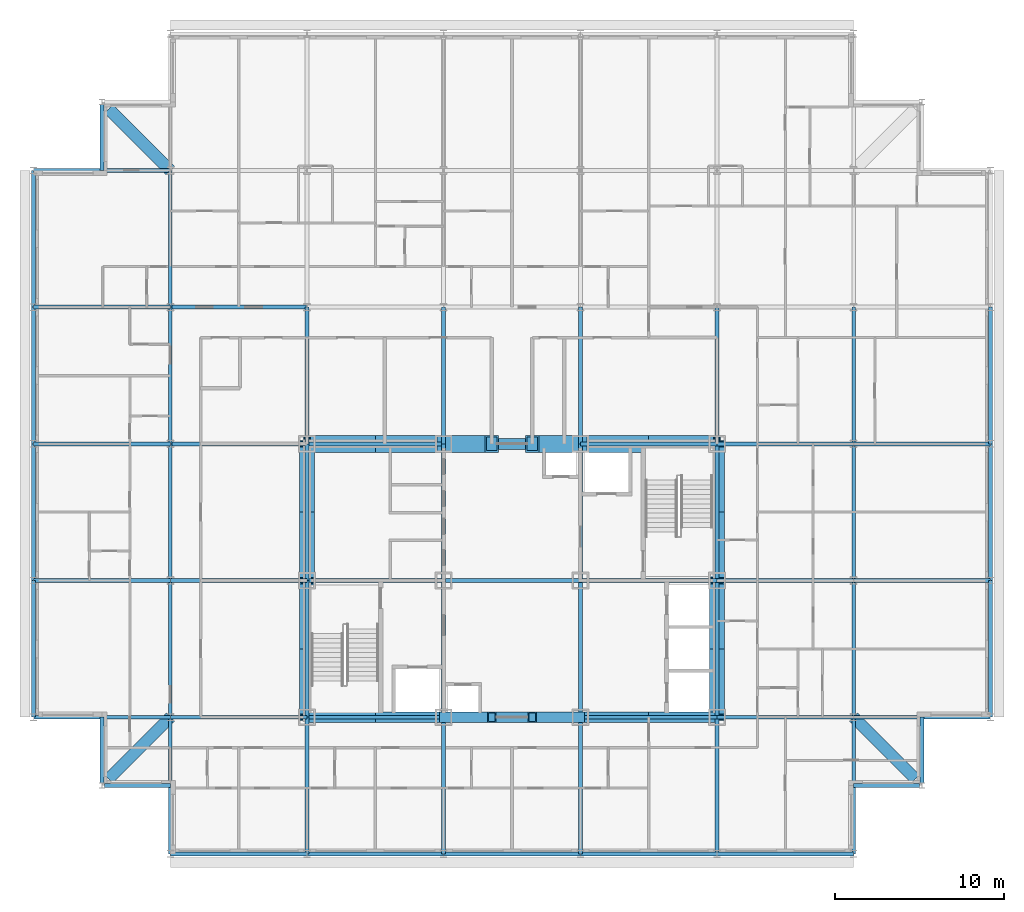
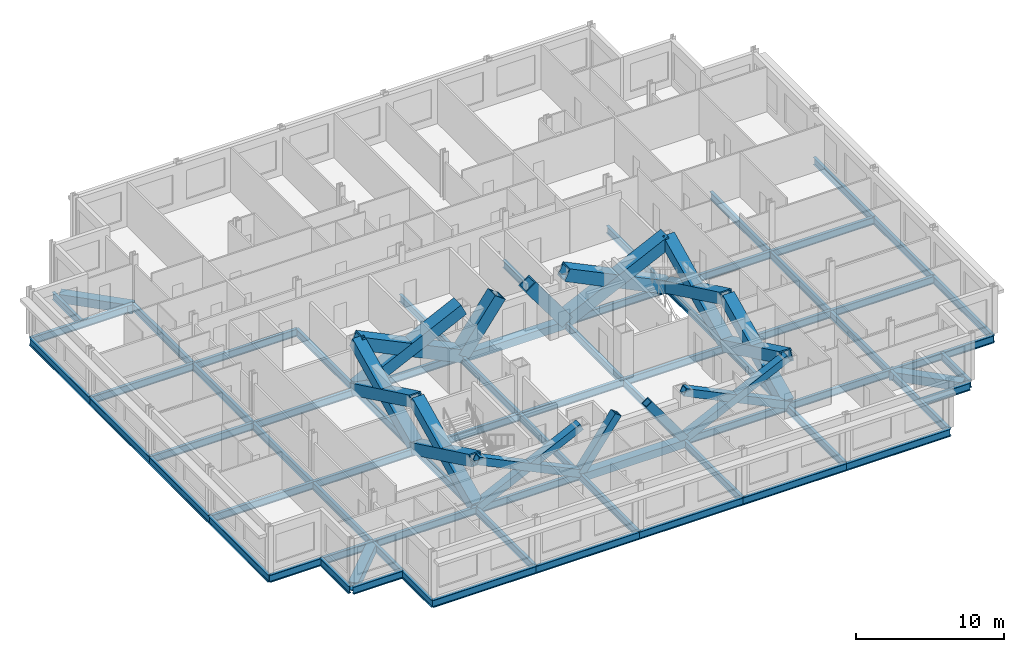
# One storey, part 5 of 16: 69 beams, 20 members.
"""IFC4 building model written with IfcOpenShell, lengths in metres."""

from ifc_helpers import new_model, si_unit, direction, frame, origin, origin_2d, place, context, subcontext, project, spatial, hollow_rectangle, i_section, extrude, material, material_profile, profile_set, type_object, element, save


model = new_model("IFC4")

# Units and contexts
model_context = context("Model", 3, precision=1e-05, world=origin(), true_north=direction((0.0, 1.0)))
body_context = subcontext(model_context, "Body", "Model", "MODEL_VIEW")
ifc_project = project(units=[si_unit("LENGTHUNIT", "METRE"), si_unit("AREAUNIT", "SQUARE_METRE"), si_unit("VOLUMEUNIT", "CUBIC_METRE"), si_unit("PLANEANGLEUNIT", "RADIAN"), si_unit("MASSUNIT", "GRAM", prefix="KILO")], contexts=[model_context])

# Site, building, storey
site_placement = place(None, origin())
site = spatial("IfcSite", under=ifc_project, at=site_placement, CompositionType="ELEMENT")
building_placement = place(site_placement, origin())
building = spatial("IfcBuilding", under=site, at=building_placement, Name="Kopane Lantern Tower", CompositionType="ELEMENT")
storey_placement = place(building_placement, frame((0.0, 0.0, 265.800048828125)))
storey = spatial("IfcBuildingStorey", under=building, at=storey_placement, Name="L68", CompositionType="ELEMENT", Elevation=265.800048828125)

# Members
ifc_material_1 = material(Name="Steel S355JR", Category="steel")
ifc_material_profile_1 = material_profile(ifc_material_1, hollow_rectangle(XDim=1.0, YDim=1.0, WallThickness=0.10009765625, at=origin_2d()), Name="BOX 1000x1000x100")
ifc_profile_set_1 = profile_set([ifc_material_profile_1], Name="Steel S355JR")
member_type_1 = type_object("IfcMemberType", Name="BRACE BOX 1000x1000x100", PredefinedType="BRACE", material=ifc_profile_set_1)
for number, where, z_axis, x_axis, name in (
    (1, (16.199951171875, 40.5, -0.2099609375), (0.901007959878, 0.0, 0.433802554437), (0.0, 1.0, 0.0), "Core brace L68"),
    (2, (24.300048828125, 40.5, -0.2099609375), (-0.901007959878, 0.0, 0.433802554437), (0.0, -1.0, 0.0), "Core brace L68"),
):
    element("IfcMember", number, at=place(storey_placement, frame(where, z_axis=z_axis, x_axis=x_axis)), inside=storey, type_object=member_type_1, Name=name, PredefinedType="BRACE", context=body_context, shape_type="SweptSolid", body=[
        extrude(hollow_rectangle(XDim=1.0, YDim=1.0, WallThickness=0.10009765625, at=origin_2d()), origin(), (0.0, 0.0, 1.0), 8.989990234375),
    ])
for number, where, z_axis, x_axis, name in (
    (3, (24.300048828125, 40.5, -0.2099609375), (0.590006451143, 0.0, 0.807398530845), (0.0, 1.0, 0.0), "Core brace L68"),
    (4, (32.39990234375, 40.5, -0.2099609375), (-0.590006451143, 0.0, 0.807398530845), (0.0, -1.0, 0.0), "Core brace L68"),
):
    element("IfcMember", number, at=place(storey_placement, frame(where, z_axis=z_axis, x_axis=x_axis)), inside=storey, type_object=member_type_1, Name=name, PredefinedType="BRACE", context=body_context, shape_type="SweptSolid", body=[
        extrude(hollow_rectangle(XDim=1.0, YDim=1.0, WallThickness=0.10009765625, at=origin_2d()), origin(), (0.0, 0.0, 1.0), 4.830322265625),
    ])
for number, where, z_axis, x_axis, name in (
    (5, (32.39990234375, 40.5, -0.2099609375), (0.901007959878, 0.0, 0.433802554437), (0.0, 1.0, 0.0), "Core brace L68"),
    (6, (40.5, 40.5, -0.2099609375), (-0.901007959878, 0.0, 0.433802554437), (0.0, -1.0, 0.0), "Core brace L68"),
):
    element("IfcMember", number, at=place(storey_placement, frame(where, z_axis=z_axis, x_axis=x_axis)), inside=storey, type_object=member_type_1, Name=name, PredefinedType="BRACE", context=body_context, shape_type="SweptSolid", body=[
        extrude(hollow_rectangle(XDim=1.0, YDim=1.0, WallThickness=0.10009765625, at=origin_2d()), origin(), (0.0, 0.0, 1.0), 8.989990234375),
    ])
ifc_material_2 = material(Name="Steel S355JR", Category="steel")
ifc_material_profile_2 = material_profile(ifc_material_2, hollow_rectangle(XDim=0.60009765625, YDim=0.60009765625, WallThickness=0.06005859375, at=origin_2d()), Name="BOX 600x600x60")
ifc_profile_set_2 = profile_set([ifc_material_profile_2], Name="Steel S355JR")
member_type_2 = type_object("IfcMemberType", Name="BRACE BOX 600x600x60", PredefinedType="BRACE", material=ifc_profile_set_2)
for number, where, z_axis, x_axis, name in (
    (7, (16.199951171875, 24.300048828125, -0.2099609375), (0.901007959878, 0.0, 0.433802554437), (0.0, 1.0, 0.0), "Core brace L68"),
    (8, (24.300048828125, 24.300048828125, -0.2099609375), (-0.901007959878, 0.0, 0.433802554437), (0.0, -1.0, 0.0), "Core brace L68"),
):
    element("IfcMember", number, at=place(storey_placement, frame(where, z_axis=z_axis, x_axis=x_axis)), inside=storey, type_object=member_type_2, Name=name, PredefinedType="BRACE", context=body_context, shape_type="SweptSolid", body=[
        extrude(hollow_rectangle(XDim=0.60009765625, YDim=0.60009765625, WallThickness=0.06005859375, at=origin_2d()), origin(), (0.0, 0.0, 1.0), 8.989990234375),
    ])
for number, where, z_axis, x_axis, name in (
    (9, (24.300048828125, 24.300048828125, -0.2099609375), (0.590006451143, 0.0, 0.807398530845), (0.0, 1.0, 0.0), "Core brace L68"),
    (10, (32.39990234375, 24.300048828125, -0.2099609375), (-0.590006451143, 0.0, 0.807398530845), (0.0, -1.0, 0.0), "Core brace L68"),
):
    element("IfcMember", number, at=place(storey_placement, frame(where, z_axis=z_axis, x_axis=x_axis)), inside=storey, type_object=member_type_2, Name=name, PredefinedType="BRACE", context=body_context, shape_type="SweptSolid", body=[
        extrude(hollow_rectangle(XDim=0.60009765625, YDim=0.60009765625, WallThickness=0.06005859375, at=origin_2d()), origin(), (0.0, 0.0, 1.0), 4.830322265625),
    ])
for number, where, z_axis, x_axis, name in (
    (11, (32.39990234375, 24.300048828125, -0.2099609375), (0.901007959878, 0.0, 0.433802554437), (0.0, 1.0, 0.0), "Core brace L68"),
    (12, (40.5, 24.300048828125, -0.2099609375), (-0.901007959878, 0.0, 0.433802554437), (0.0, -1.0, 0.0), "Core brace L68"),
):
    element("IfcMember", number, at=place(storey_placement, frame(where, z_axis=z_axis, x_axis=x_axis)), inside=storey, type_object=member_type_2, Name=name, PredefinedType="BRACE", context=body_context, shape_type="SweptSolid", body=[
        extrude(hollow_rectangle(XDim=0.60009765625, YDim=0.60009765625, WallThickness=0.06005859375, at=origin_2d()), origin(), (0.0, 0.0, 1.0), 8.989990234375),
    ])
ifc_material_3 = material(Name="Steel S355JR", Category="steel")
ifc_material_profile_3 = material_profile(ifc_material_3, hollow_rectangle(XDim=0.89990234375, YDim=0.89990234375, WallThickness=0.090087890625, at=origin_2d()), Name="BOX 900x900x90")
ifc_profile_set_3 = profile_set([ifc_material_profile_3], Name="Steel S355JR")
member_type_3 = type_object("IfcMemberType", Name="BRACE BOX 900x900x90", PredefinedType="BRACE", material=ifc_profile_set_3)
for number, where, z_axis, x_axis, name in (
    (13, (16.199951171875, 24.300048828125, -0.2099609375), (0.0, 0.9010028492, 0.433813169157), (-1.0, 0.0, 0.0), "Core brace L68"),
    (14, (16.199951171875, 32.39990234375, -0.2099609375), (0.0, -0.9010028492, 0.433813169157), (1.0, 0.0, 0.0), "Core brace L68"),
):
    element("IfcMember", number, at=place(storey_placement, frame(where, z_axis=z_axis, x_axis=x_axis)), inside=storey, type_object=member_type_3, Name=name, PredefinedType="BRACE", context=body_context, shape_type="SweptSolid", body=[
        extrude(hollow_rectangle(XDim=0.89990234375, YDim=0.89990234375, WallThickness=0.090087890625, at=origin_2d()), origin(), (0.0, 0.0, 1.0), 8.98974609375),
    ])
for number, where, z_axis, x_axis, name in (
    (15, (16.199951171875, 32.39990234375, -0.2099609375), (0.0, 0.901007959878, 0.433802554437), (-1.0, 0.0, 0.0), "Core brace L68"),
    (16, (16.199951171875, 40.5, -0.2099609375), (0.0, -0.901007959878, 0.433802554437), (1.0, 0.0, 0.0), "Core brace L68"),
):
    element("IfcMember", number, at=place(storey_placement, frame(where, z_axis=z_axis, x_axis=x_axis)), inside=storey, type_object=member_type_3, Name=name, PredefinedType="BRACE", context=body_context, shape_type="SweptSolid", body=[
        extrude(hollow_rectangle(XDim=0.89990234375, YDim=0.89990234375, WallThickness=0.090087890625, at=origin_2d()), origin(), (0.0, 0.0, 1.0), 8.989990234375),
    ])
for number, where, z_axis, x_axis, name in (
    (17, (40.5, 24.300048828125, -0.2099609375), (0.0, 0.9010028492, 0.433813169157), (-1.0, 0.0, 0.0), "Core brace L68"),
    (18, (40.5, 32.39990234375, -0.2099609375), (0.0, -0.9010028492, 0.433813169157), (1.0, 0.0, 0.0), "Core brace L68"),
):
    element("IfcMember", number, at=place(storey_placement, frame(where, z_axis=z_axis, x_axis=x_axis)), inside=storey, type_object=member_type_3, Name=name, PredefinedType="BRACE", context=body_context, shape_type="SweptSolid", body=[
        extrude(hollow_rectangle(XDim=0.89990234375, YDim=0.89990234375, WallThickness=0.090087890625, at=origin_2d()), origin(), (0.0, 0.0, 1.0), 8.98974609375),
    ])
for number, where, z_axis, x_axis, name in (
    (19, (40.5, 32.39990234375, -0.2099609375), (0.0, 0.901007959878, 0.433802554437), (-1.0, 0.0, 0.0), "Core brace L68"),
    (20, (40.5, 40.5, -0.2099609375), (0.0, -0.901007959878, 0.433802554437), (1.0, 0.0, 0.0), "Core brace L68"),
):
    element("IfcMember", number, at=place(storey_placement, frame(where, z_axis=z_axis, x_axis=x_axis)), inside=storey, type_object=member_type_3, Name=name, PredefinedType="BRACE", context=body_context, shape_type="SweptSolid", body=[
        extrude(hollow_rectangle(XDim=0.89990234375, YDim=0.89990234375, WallThickness=0.090087890625, at=origin_2d()), origin(), (0.0, 0.0, 1.0), 8.989990234375),
    ])

# Beams
ifc_material_4 = material(Name="Steel S355JR", Category="steel")
ifc_material_profile_4 = material_profile(ifc_material_4, i_section(OverallWidth=0.22900390625, OverallDepth=0.6123046875, WebThickness=0.011962890625, FlangeThickness=0.01953125, FilletRadius=0.0126953125, at=origin_2d()), Name="UB 610x229x125")
ifc_profile_set_4 = profile_set([ifc_material_profile_4], Name="Steel S355JR")
beam_type_1 = type_object("IfcBeamType", Name="CORE BEAM UB 610x229x125", PredefinedType="BEAM", material=ifc_profile_set_4)
beam_1_placement = place(storey_placement, frame((16.199951171875, 32.39990234375, -0.51611328125), z_axis=(1.0, 0.0, 0.0), x_axis=(0.0, 1.0, 0.0)))
element("IfcBeam", 21, at=beam_1_placement, inside=storey, type_object=beam_type_1, Name="Core Beam L68", PredefinedType="BEAM", context=body_context, shape_type="SweptSolid", body=[
    extrude(i_section(OverallWidth=0.22900390625, OverallDepth=0.6123046875, WebThickness=0.011962890625, FlangeThickness=0.01953125, FilletRadius=0.0126953125, at=origin_2d()), origin(), (0.0, 0.0, 1.0), 8.10009765625),
])
beam_2_placement = place(storey_placement, frame((24.300048828125, 24.300048828125, -0.51611328125), z_axis=(0.0, 1.0, 0.0), x_axis=(-1.0, 0.0, 0.0)))
element("IfcBeam", 22, at=beam_2_placement, inside=storey, type_object=beam_type_1, Name="Core Beam L68", PredefinedType="BEAM", context=body_context, shape_type="SweptSolid", body=[
    extrude(i_section(OverallWidth=0.22900390625, OverallDepth=0.6123046875, WebThickness=0.011962890625, FlangeThickness=0.01953125, FilletRadius=0.0126953125, at=origin_2d()), origin(), (0.0, 0.0, 1.0), 8.099853515625),
])
beam_3_placement = place(storey_placement, frame((24.300048828125, 32.39990234375, -0.51611328125), z_axis=(0.0, 1.0, 0.0), x_axis=(-1.0, 0.0, 0.0)))
element("IfcBeam", 23, at=beam_3_placement, inside=storey, type_object=beam_type_1, Name="Core Beam L68", PredefinedType="BEAM", context=body_context, shape_type="SweptSolid", body=[
    extrude(i_section(OverallWidth=0.22900390625, OverallDepth=0.6123046875, WebThickness=0.011962890625, FlangeThickness=0.01953125, FilletRadius=0.0126953125, at=origin_2d()), origin(), (0.0, 0.0, 1.0), 8.10009765625),
])
for number, where, z_axis, x_axis, name in (
    (24, (24.300048828125, 32.39990234375, -0.51611328125), (1.0, 0.0, 0.0), (0.0, 1.0, 0.0), "Core Beam L68"),
    (25, (32.39990234375, 24.300048828125, -0.51611328125), (0.0, 1.0, 0.0), (-1.0, 0.0, 0.0), "Core Beam L68"),
):
    element("IfcBeam", number, at=place(storey_placement, frame(where, z_axis=z_axis, x_axis=x_axis)), inside=storey, type_object=beam_type_1, Name=name, PredefinedType="BEAM", context=body_context, shape_type="SweptSolid", body=[
        extrude(i_section(OverallWidth=0.22900390625, OverallDepth=0.6123046875, WebThickness=0.011962890625, FlangeThickness=0.01953125, FilletRadius=0.0126953125, at=origin_2d()), origin(), (0.0, 0.0, 1.0), 8.099853515625),
    ])
for number, where, z_axis, x_axis, name in (
    (26, (32.39990234375, 32.39990234375, -0.51611328125), (0.0, 1.0, 0.0), (-1.0, 0.0, 0.0), "Core Beam L68"),
    (27, (32.39990234375, 32.39990234375, -0.51611328125), (1.0, 0.0, 0.0), (0.0, 1.0, 0.0), "Core Beam L68"),
):
    element("IfcBeam", number, at=place(storey_placement, frame(where, z_axis=z_axis, x_axis=x_axis)), inside=storey, type_object=beam_type_1, Name=name, PredefinedType="BEAM", context=body_context, shape_type="SweptSolid", body=[
        extrude(i_section(OverallWidth=0.22900390625, OverallDepth=0.6123046875, WebThickness=0.011962890625, FlangeThickness=0.01953125, FilletRadius=0.0126953125, at=origin_2d()), origin(), (0.0, 0.0, 1.0), 8.10009765625),
    ])
ifc_material_5 = material(Name="Steel S355JR", Category="steel")
ifc_material_profile_5 = material_profile(ifc_material_5, hollow_rectangle(XDim=0.699951171875, YDim=0.699951171875, WallThickness=0.06005859375, at=origin_2d()), Name="BOX 700x700x60")
ifc_profile_set_5 = profile_set([ifc_material_profile_5], Name="Steel S355JR")
beam_type_2 = type_object("IfcBeamType", Name="CORNER TIE BEAM BOX 700x700x60", PredefinedType="BEAM", material=ifc_profile_set_5)
for number, where, z_axis, x_axis, name in (
    (28, (4.447509765625, 20.6474609375, -0.56005859375), (0.707106781187, 0.707106781187, 0.0), (-0.707106781187, 0.707106781187, 0.0), "Corner Tie Beam L68"),
    (29, (4.447509765625, 60.3525390625, -0.56005859375), (0.707106781187, -0.707106781187, 0.0), (0.707106781187, 0.707106781187, 0.0), "Corner Tie Beam L68"),
):
    element("IfcBeam", number, at=place(storey_placement, frame(where, z_axis=z_axis, x_axis=x_axis)), inside=storey, type_object=beam_type_2, Name=name, PredefinedType="BEAM", context=body_context, shape_type="SweptSolid", body=[
        extrude(hollow_rectangle(XDim=0.699951171875, YDim=0.699951171875, WallThickness=0.06005859375, at=origin_2d()), origin(), (0.0, 0.0, 1.0), 5.16552734375),
    ])
beam_4_placement = place(storey_placement, frame((52.25244140625, 20.6474609375, -0.56005859375), z_axis=(-0.707083148333, 0.70713041325, 0.0), x_axis=(-0.70713041325, -0.707083148333, 0.0)))
element("IfcBeam", 30, at=beam_4_placement, inside=storey, type_object=beam_type_2, Name="Corner Tie Beam L68", PredefinedType="BEAM", context=body_context, shape_type="SweptSolid", body=[
    extrude(hollow_rectangle(XDim=0.699951171875, YDim=0.699951171875, WallThickness=0.06005859375, at=origin_2d()), origin(), (0.0, 0.0, 1.0), 5.165283203125),
])
ifc_material_6 = material(Name="Steel S355JR", Category="steel")
ifc_material_profile_6 = material_profile(ifc_material_6, i_section(OverallWidth=0.22900390625, OverallDepth=0.6123046875, WebThickness=0.011962890625, FlangeThickness=0.01953125, FilletRadius=0.0126953125, at=origin_2d()), Name="UB 610x229x125")
ifc_profile_set_6 = profile_set([ifc_material_profile_6], Name="Steel S355JR")
beam_type_3 = type_object("IfcBeamType", Name="EDGE BEAM UB 610x229x125", PredefinedType="BEAM", material=ifc_profile_set_6)
beam_5_placement = place(storey_placement, frame((4.050048828125, 20.40380859375, -0.51611328125), z_axis=(0.0, 1.0, 0.0), x_axis=(-1.0, 0.0, 0.0)))
element("IfcBeam", 31, at=beam_5_placement, inside=storey, type_object=beam_type_3, Name="Edge Beam L68", PredefinedType="BEAM", context=body_context, shape_type="SweptSolid", body=[
    extrude(i_section(OverallWidth=0.22900390625, OverallDepth=0.6123046875, WebThickness=0.011962890625, FlangeThickness=0.01953125, FilletRadius=0.0126953125, at=origin_2d()), origin(), (0.0, 0.0, 1.0), 3.896240234375),
])
beam_6_placement = place(storey_placement, frame((4.20361328125, 20.25, -0.51611328125), z_axis=(1.0, 0.0, 0.0), x_axis=(0.0, 1.0, 0.0)))
element("IfcBeam", 32, at=beam_6_placement, inside=storey, type_object=beam_type_3, Name="Edge Beam L68", PredefinedType="BEAM", context=body_context, shape_type="SweptSolid", body=[
    extrude(i_section(OverallWidth=0.22900390625, OverallDepth=0.6123046875, WebThickness=0.011962890625, FlangeThickness=0.01953125, FilletRadius=0.0126953125, at=origin_2d()), origin(), (0.0, 0.0, 1.0), 3.896484375),
])
for number, where, z_axis, x_axis, name in (
    (33, (4.050048828125, 60.59619140625, -0.51611328125), (0.0, -1.0, 0.0), (1.0, 0.0, 0.0), "Edge Beam L68"),
    (34, (52.496337890625, 20.25, -0.51611328125), (-1.0, 0.0, 0.0), (0.0, -1.0, 0.0), "Edge Beam L68"),
    (35, (52.64990234375, 20.40380859375, -0.51611328125), (0.0, 1.0, 0.0), (-1.0, 0.0, 0.0), "Edge Beam L68"),
):
    element("IfcBeam", number, at=place(storey_placement, frame(where, z_axis=z_axis, x_axis=x_axis)), inside=storey, type_object=beam_type_3, Name=name, PredefinedType="BEAM", context=body_context, shape_type="SweptSolid", body=[
        extrude(i_section(OverallWidth=0.22900390625, OverallDepth=0.6123046875, WebThickness=0.011962890625, FlangeThickness=0.01953125, FilletRadius=0.0126953125, at=origin_2d()), origin(), (0.0, 0.0, 1.0), 3.896240234375),
    ])
ifc_material_7 = material(Name="Steel S355JR", Category="steel")
ifc_material_profile_7 = material_profile(ifc_material_7, i_section(OverallWidth=0.22900390625, OverallDepth=0.6123046875, WebThickness=0.011962890625, FlangeThickness=0.01953125, FilletRadius=0.0126953125, at=origin_2d()), Name="UB 610x229x125")
ifc_profile_set_7 = profile_set([ifc_material_profile_7], Name="Steel S355JR")
beam_type_4 = type_object("IfcBeamType", Name="GIRDER UB 610x229x125", PredefinedType="BEAM", material=ifc_profile_set_7)
beam_7_placement = place(storey_placement, frame((0.0, 24.300048828125, -0.51611328125), z_axis=(0.0, 1.0, 0.0), x_axis=(-1.0, 0.0, 0.0)))
element("IfcBeam", 36, at=beam_7_placement, inside=storey, type_object=beam_type_4, Name="Girder L68", PredefinedType="BEAM", context=body_context, shape_type="SweptSolid", body=[
    extrude(i_section(OverallWidth=0.22900390625, OverallDepth=0.6123046875, WebThickness=0.011962890625, FlangeThickness=0.01953125, FilletRadius=0.0126953125, at=origin_2d()), origin(), (0.0, 0.0, 1.0), 8.099853515625),
])
for number, where, z_axis, x_axis, name in (
    (37, (0.0, 24.300048828125, -0.51611328125), (1.0, 0.0, 0.0), (0.0, 1.0, 0.0), "Girder L68"),
    (38, (0.0, 32.39990234375, -0.51611328125), (0.0, 1.0, 0.0), (-1.0, 0.0, 0.0), "Girder L68"),
    (39, (0.0, 32.39990234375, -0.51611328125), (1.0, 0.0, 0.0), (0.0, 1.0, 0.0), "Girder L68"),
    (40, (0.0, 40.5, -0.51611328125), (0.0, 1.0, 0.0), (-1.0, 0.0, 0.0), "Girder L68"),
    (41, (0.0, 40.5, -0.51611328125), (1.0, 0.0, 0.0), (0.0, 1.0, 0.0), "Girder L68"),
):
    element("IfcBeam", number, at=place(storey_placement, frame(where, z_axis=z_axis, x_axis=x_axis)), inside=storey, type_object=beam_type_4, Name=name, PredefinedType="BEAM", context=body_context, shape_type="SweptSolid", body=[
        extrude(i_section(OverallWidth=0.22900390625, OverallDepth=0.6123046875, WebThickness=0.011962890625, FlangeThickness=0.01953125, FilletRadius=0.0126953125, at=origin_2d()), origin(), (0.0, 0.0, 1.0), 8.10009765625),
    ])
beam_8_placement = place(storey_placement, frame((0.0, 48.60009765625, -0.51611328125), z_axis=(0.0, 1.0, 0.0), x_axis=(-1.0, 0.0, 0.0)))
element("IfcBeam", 42, at=beam_8_placement, inside=storey, type_object=beam_type_4, Name="Girder L68", PredefinedType="BEAM", context=body_context, shape_type="SweptSolid", body=[
    extrude(i_section(OverallWidth=0.22900390625, OverallDepth=0.6123046875, WebThickness=0.011962890625, FlangeThickness=0.01953125, FilletRadius=0.0126953125, at=origin_2d()), origin(), (0.0, 0.0, 1.0), 8.099853515625),
])
for number, where, z_axis, x_axis, name in (
    (43, (0.0, 48.60009765625, -0.51611328125), (1.0, 0.0, 0.0), (0.0, 1.0, 0.0), "Girder L68"),
    (44, (0.0, 56.699951171875, -0.51611328125), (1.0, 0.0, 0.0), (0.0, 1.0, 0.0), "Girder L68"),
    (45, (8.10009765625, 16.199951171875, -0.51611328125), (0.0, 1.0, 0.0), (-1.0, 0.0, 0.0), "Girder L68"),
):
    element("IfcBeam", number, at=place(storey_placement, frame(where, z_axis=z_axis, x_axis=x_axis)), inside=storey, type_object=beam_type_4, Name=name, PredefinedType="BEAM", context=body_context, shape_type="SweptSolid", body=[
        extrude(i_section(OverallWidth=0.22900390625, OverallDepth=0.6123046875, WebThickness=0.011962890625, FlangeThickness=0.01953125, FilletRadius=0.0126953125, at=origin_2d()), origin(), (0.0, 0.0, 1.0), 8.10009765625),
    ])
for number, where, z_axis, x_axis, name in (
    (46, (8.10009765625, 16.199951171875, -0.51611328125), (1.0, 0.0, 0.0), (0.0, 1.0, 0.0), "Girder L68"),
    (47, (8.10009765625, 24.300048828125, -0.51611328125), (0.0, 1.0, 0.0), (-1.0, 0.0, 0.0), "Girder L68"),
    (48, (8.10009765625, 24.300048828125, -0.51611328125), (1.0, 0.0, 0.0), (0.0, 1.0, 0.0), "Girder L68"),
):
    element("IfcBeam", number, at=place(storey_placement, frame(where, z_axis=z_axis, x_axis=x_axis)), inside=storey, type_object=beam_type_4, Name=name, PredefinedType="BEAM", context=body_context, shape_type="SweptSolid", body=[
        extrude(i_section(OverallWidth=0.22900390625, OverallDepth=0.6123046875, WebThickness=0.011962890625, FlangeThickness=0.01953125, FilletRadius=0.0126953125, at=origin_2d()), origin(), (0.0, 0.0, 1.0), 8.099853515625),
    ])
beam_9_placement = place(storey_placement, frame((8.10009765625, 32.39990234375, -0.51611328125), z_axis=(0.0, 1.0, 0.0), x_axis=(-1.0, 0.0, 0.0)))
element("IfcBeam", 49, at=beam_9_placement, inside=storey, type_object=beam_type_4, Name="Girder L68", PredefinedType="BEAM", context=body_context, shape_type="SweptSolid", body=[
    extrude(i_section(OverallWidth=0.22900390625, OverallDepth=0.6123046875, WebThickness=0.011962890625, FlangeThickness=0.01953125, FilletRadius=0.0126953125, at=origin_2d()), origin(), (0.0, 0.0, 1.0), 8.10009765625),
])
beam_10_placement = place(storey_placement, frame((8.10009765625, 32.39990234375, -0.51611328125), z_axis=(1.0, 0.0, 0.0), x_axis=(0.0, 1.0, 0.0)))
element("IfcBeam", 50, at=beam_10_placement, inside=storey, type_object=beam_type_4, Name="Girder L68", PredefinedType="BEAM", context=body_context, shape_type="SweptSolid", body=[
    extrude(i_section(OverallWidth=0.22900390625, OverallDepth=0.6123046875, WebThickness=0.011962890625, FlangeThickness=0.01953125, FilletRadius=0.0126953125, at=origin_2d()), origin(), (0.0, 0.0, 1.0), 8.099853515625),
])
beam_11_placement = place(storey_placement, frame((8.10009765625, 40.5, -0.51611328125), z_axis=(0.0, 1.0, 0.0), x_axis=(-1.0, 0.0, 0.0)))
element("IfcBeam", 51, at=beam_11_placement, inside=storey, type_object=beam_type_4, Name="Girder L68", PredefinedType="BEAM", context=body_context, shape_type="SweptSolid", body=[
    extrude(i_section(OverallWidth=0.22900390625, OverallDepth=0.6123046875, WebThickness=0.011962890625, FlangeThickness=0.01953125, FilletRadius=0.0126953125, at=origin_2d()), origin(), (0.0, 0.0, 1.0), 8.10009765625),
])
for number, where, z_axis, x_axis, name in (
    (52, (8.10009765625, 40.5, -0.51611328125), (1.0, 0.0, 0.0), (0.0, 1.0, 0.0), "Girder L68"),
    (53, (8.10009765625, 48.60009765625, -0.51611328125), (0.0, 1.0, 0.0), (-1.0, 0.0, 0.0), "Girder L68"),
    (54, (8.10009765625, 48.60009765625, -0.51611328125), (1.0, 0.0, 0.0), (0.0, 1.0, 0.0), "Girder L68"),
):
    element("IfcBeam", number, at=place(storey_placement, frame(where, z_axis=z_axis, x_axis=x_axis)), inside=storey, type_object=beam_type_4, Name=name, PredefinedType="BEAM", context=body_context, shape_type="SweptSolid", body=[
        extrude(i_section(OverallWidth=0.22900390625, OverallDepth=0.6123046875, WebThickness=0.011962890625, FlangeThickness=0.01953125, FilletRadius=0.0126953125, at=origin_2d()), origin(), (0.0, 0.0, 1.0), 8.099853515625),
    ])
for number, where, z_axis, x_axis, name in (
    (55, (16.199951171875, 16.199951171875, -0.51611328125), (0.0, 1.0, 0.0), (-1.0, 0.0, 0.0), "Girder L68"),
    (56, (16.199951171875, 16.199951171875, -0.51611328125), (1.0, 0.0, 0.0), (0.0, 1.0, 0.0), "Girder L68"),
):
    element("IfcBeam", number, at=place(storey_placement, frame(where, z_axis=z_axis, x_axis=x_axis)), inside=storey, type_object=beam_type_4, Name=name, PredefinedType="BEAM", context=body_context, shape_type="SweptSolid", body=[
        extrude(i_section(OverallWidth=0.22900390625, OverallDepth=0.6123046875, WebThickness=0.011962890625, FlangeThickness=0.01953125, FilletRadius=0.0126953125, at=origin_2d()), origin(), (0.0, 0.0, 1.0), 8.10009765625),
    ])
beam_12_placement = place(storey_placement, frame((16.199951171875, 24.300048828125, -0.51611328125), z_axis=(0.0, 1.0, 0.0), x_axis=(-1.0, 0.0, 0.0)))
element("IfcBeam", 57, at=beam_12_placement, inside=storey, type_object=beam_type_4, Name="Girder L68", PredefinedType="BEAM", context=body_context, shape_type="SweptSolid", body=[
    extrude(i_section(OverallWidth=0.22900390625, OverallDepth=0.6123046875, WebThickness=0.011962890625, FlangeThickness=0.01953125, FilletRadius=0.0126953125, at=origin_2d()), origin(), (0.0, 0.0, 1.0), 8.099853515625),
])
for number, where, z_axis, x_axis, name in (
    (58, (16.199951171875, 24.300048828125, -0.51611328125), (1.0, 0.0, 0.0), (0.0, 1.0, 0.0), "Girder L68"),
    (59, (16.199951171875, 32.39990234375, -0.51611328125), (0.0, 1.0, 0.0), (-1.0, 0.0, 0.0), "Girder L68"),
    (60, (16.199951171875, 40.5, -0.51611328125), (0.0, 1.0, 0.0), (-1.0, 0.0, 0.0), "Girder L68"),
    (61, (16.199951171875, 40.5, -0.51611328125), (1.0, 0.0, 0.0), (0.0, 1.0, 0.0), "Girder L68"),
    (62, (24.300048828125, 16.199951171875, -0.51611328125), (0.0, 1.0, 0.0), (-1.0, 0.0, 0.0), "Girder L68"),
):
    element("IfcBeam", number, at=place(storey_placement, frame(where, z_axis=z_axis, x_axis=x_axis)), inside=storey, type_object=beam_type_4, Name=name, PredefinedType="BEAM", context=body_context, shape_type="SweptSolid", body=[
        extrude(i_section(OverallWidth=0.22900390625, OverallDepth=0.6123046875, WebThickness=0.011962890625, FlangeThickness=0.01953125, FilletRadius=0.0126953125, at=origin_2d()), origin(), (0.0, 0.0, 1.0), 8.10009765625),
    ])
beam_13_placement = place(storey_placement, frame((24.300048828125, 16.199951171875, -0.51611328125), z_axis=(1.0, 0.0, 0.0), x_axis=(0.0, 1.0, 0.0)))
element("IfcBeam", 63, at=beam_13_placement, inside=storey, type_object=beam_type_4, Name="Girder L68", PredefinedType="BEAM", context=body_context, shape_type="SweptSolid", body=[
    extrude(i_section(OverallWidth=0.22900390625, OverallDepth=0.6123046875, WebThickness=0.011962890625, FlangeThickness=0.01953125, FilletRadius=0.0126953125, at=origin_2d()), origin(), (0.0, 0.0, 1.0), 8.099853515625),
])
for number, where, z_axis, x_axis, name in (
    (64, (24.300048828125, 40.5, -0.51611328125), (0.0, 1.0, 0.0), (-1.0, 0.0, 0.0), "Girder L68"),
    (65, (32.39990234375, 16.199951171875, -0.51611328125), (0.0, 1.0, 0.0), (-1.0, 0.0, 0.0), "Girder L68"),
    (66, (32.39990234375, 16.199951171875, -0.51611328125), (1.0, 0.0, 0.0), (0.0, 1.0, 0.0), "Girder L68"),
    (67, (32.39990234375, 24.300048828125, -0.51611328125), (1.0, 0.0, 0.0), (0.0, 1.0, 0.0), "Girder L68"),
    (68, (32.39990234375, 40.5, -0.51611328125), (0.0, 1.0, 0.0), (-1.0, 0.0, 0.0), "Girder L68"),
    (69, (32.39990234375, 40.5, -0.51611328125), (1.0, 0.0, 0.0), (0.0, 1.0, 0.0), "Girder L68"),
    (70, (40.5, 16.199951171875, -0.51611328125), (0.0, 1.0, 0.0), (-1.0, 0.0, 0.0), "Girder L68"),
    (71, (40.5, 16.199951171875, -0.51611328125), (1.0, 0.0, 0.0), (0.0, 1.0, 0.0), "Girder L68"),
):
    element("IfcBeam", number, at=place(storey_placement, frame(where, z_axis=z_axis, x_axis=x_axis)), inside=storey, type_object=beam_type_4, Name=name, PredefinedType="BEAM", context=body_context, shape_type="SweptSolid", body=[
        extrude(i_section(OverallWidth=0.22900390625, OverallDepth=0.6123046875, WebThickness=0.011962890625, FlangeThickness=0.01953125, FilletRadius=0.0126953125, at=origin_2d()), origin(), (0.0, 0.0, 1.0), 8.10009765625),
    ])
beam_14_placement = place(storey_placement, frame((40.5, 24.300048828125, -0.51611328125), z_axis=(0.0, 1.0, 0.0), x_axis=(-1.0, 0.0, 0.0)))
element("IfcBeam", 72, at=beam_14_placement, inside=storey, type_object=beam_type_4, Name="Girder L68", PredefinedType="BEAM", context=body_context, shape_type="SweptSolid", body=[
    extrude(i_section(OverallWidth=0.22900390625, OverallDepth=0.6123046875, WebThickness=0.011962890625, FlangeThickness=0.01953125, FilletRadius=0.0126953125, at=origin_2d()), origin(), (0.0, 0.0, 1.0), 8.099853515625),
])
for number, where, z_axis, x_axis, name in (
    (73, (40.5, 24.300048828125, -0.51611328125), (1.0, 0.0, 0.0), (0.0, 1.0, 0.0), "Girder L68"),
    (74, (40.5, 32.39990234375, -0.51611328125), (0.0, 1.0, 0.0), (-1.0, 0.0, 0.0), "Girder L68"),
    (75, (40.5, 32.39990234375, -0.51611328125), (1.0, 0.0, 0.0), (0.0, 1.0, 0.0), "Girder L68"),
    (76, (40.5, 40.5, -0.51611328125), (0.0, 1.0, 0.0), (-1.0, 0.0, 0.0), "Girder L68"),
    (77, (40.5, 40.5, -0.51611328125), (1.0, 0.0, 0.0), (0.0, 1.0, 0.0), "Girder L68"),
    (78, (48.60009765625, 16.199951171875, -0.51611328125), (0.0, 1.0, 0.0), (-1.0, 0.0, 0.0), "Girder L68"),
):
    element("IfcBeam", number, at=place(storey_placement, frame(where, z_axis=z_axis, x_axis=x_axis)), inside=storey, type_object=beam_type_4, Name=name, PredefinedType="BEAM", context=body_context, shape_type="SweptSolid", body=[
        extrude(i_section(OverallWidth=0.22900390625, OverallDepth=0.6123046875, WebThickness=0.011962890625, FlangeThickness=0.01953125, FilletRadius=0.0126953125, at=origin_2d()), origin(), (0.0, 0.0, 1.0), 8.10009765625),
    ])
for number, where, z_axis, x_axis, name in (
    (79, (48.60009765625, 24.300048828125, -0.51611328125), (0.0, 1.0, 0.0), (-1.0, 0.0, 0.0), "Girder L68"),
    (80, (48.60009765625, 24.300048828125, -0.51611328125), (1.0, 0.0, 0.0), (0.0, 1.0, 0.0), "Girder L68"),
):
    element("IfcBeam", number, at=place(storey_placement, frame(where, z_axis=z_axis, x_axis=x_axis)), inside=storey, type_object=beam_type_4, Name=name, PredefinedType="BEAM", context=body_context, shape_type="SweptSolid", body=[
        extrude(i_section(OverallWidth=0.22900390625, OverallDepth=0.6123046875, WebThickness=0.011962890625, FlangeThickness=0.01953125, FilletRadius=0.0126953125, at=origin_2d()), origin(), (0.0, 0.0, 1.0), 8.099853515625),
    ])
beam_15_placement = place(storey_placement, frame((48.60009765625, 32.39990234375, -0.51611328125), z_axis=(0.0, 1.0, 0.0), x_axis=(-1.0, 0.0, 0.0)))
element("IfcBeam", 81, at=beam_15_placement, inside=storey, type_object=beam_type_4, Name="Girder L68", PredefinedType="BEAM", context=body_context, shape_type="SweptSolid", body=[
    extrude(i_section(OverallWidth=0.22900390625, OverallDepth=0.6123046875, WebThickness=0.011962890625, FlangeThickness=0.01953125, FilletRadius=0.0126953125, at=origin_2d()), origin(), (0.0, 0.0, 1.0), 8.10009765625),
])
beam_16_placement = place(storey_placement, frame((48.60009765625, 32.39990234375, -0.51611328125), z_axis=(1.0, 0.0, 0.0), x_axis=(0.0, 1.0, 0.0)))
element("IfcBeam", 82, at=beam_16_placement, inside=storey, type_object=beam_type_4, Name="Girder L68", PredefinedType="BEAM", context=body_context, shape_type="SweptSolid", body=[
    extrude(i_section(OverallWidth=0.22900390625, OverallDepth=0.6123046875, WebThickness=0.011962890625, FlangeThickness=0.01953125, FilletRadius=0.0126953125, at=origin_2d()), origin(), (0.0, 0.0, 1.0), 8.099853515625),
])
beam_17_placement = place(storey_placement, frame((48.60009765625, 40.5, -0.51611328125), z_axis=(0.0, 1.0, 0.0), x_axis=(-1.0, 0.0, 0.0)))
element("IfcBeam", 83, at=beam_17_placement, inside=storey, type_object=beam_type_4, Name="Girder L68", PredefinedType="BEAM", context=body_context, shape_type="SweptSolid", body=[
    extrude(i_section(OverallWidth=0.22900390625, OverallDepth=0.6123046875, WebThickness=0.011962890625, FlangeThickness=0.01953125, FilletRadius=0.0126953125, at=origin_2d()), origin(), (0.0, 0.0, 1.0), 8.10009765625),
])
for number, where, z_axis, x_axis, name in (
    (84, (48.60009765625, 40.5, -0.51611328125), (1.0, 0.0, 0.0), (0.0, 1.0, 0.0), "Girder L68"),
    (85, (56.699951171875, 24.300048828125, -0.51611328125), (0.0, 1.0, 0.0), (-1.0, 0.0, 0.0), "Girder L68"),
):
    element("IfcBeam", number, at=place(storey_placement, frame(where, z_axis=z_axis, x_axis=x_axis)), inside=storey, type_object=beam_type_4, Name=name, PredefinedType="BEAM", context=body_context, shape_type="SweptSolid", body=[
        extrude(i_section(OverallWidth=0.22900390625, OverallDepth=0.6123046875, WebThickness=0.011962890625, FlangeThickness=0.01953125, FilletRadius=0.0126953125, at=origin_2d()), origin(), (0.0, 0.0, 1.0), 8.099853515625),
    ])
for number, where, z_axis, x_axis, name in (
    (86, (56.699951171875, 32.39990234375, -0.51611328125), (0.0, 1.0, 0.0), (-1.0, 0.0, 0.0), "Girder L68"),
    (87, (56.699951171875, 40.5, -0.51611328125), (0.0, 1.0, 0.0), (-1.0, 0.0, 0.0), "Girder L68"),
):
    element("IfcBeam", number, at=place(storey_placement, frame(where, z_axis=z_axis, x_axis=x_axis)), inside=storey, type_object=beam_type_4, Name=name, PredefinedType="BEAM", context=body_context, shape_type="SweptSolid", body=[
        extrude(i_section(OverallWidth=0.22900390625, OverallDepth=0.6123046875, WebThickness=0.011962890625, FlangeThickness=0.01953125, FilletRadius=0.0126953125, at=origin_2d()), origin(), (0.0, 0.0, 1.0), 8.10009765625),
    ])
ifc_material_8 = material(Name="Steel S355JR", Category="steel")
ifc_material_profile_8 = material_profile(ifc_material_8, hollow_rectangle(XDim=0.64990234375, YDim=0.64990234375, WallThickness=0.070068359375, at=origin_2d()), Name="BOX 650x650x70")
ifc_profile_set_8 = profile_set([ifc_material_profile_8], Name="Steel S355JR")
beam_type_5 = type_object("IfcBeamType", Name="LINK BEAM BOX 650x650x70", PredefinedType="BEAM", material=ifc_profile_set_8)
for number, where, z_axis, x_axis, name in (
    (88, (24.300048828125, 24.300048828125, -0.53515625), (1.0, 0.0, 0.0), (0.0, 1.0, 0.0), "Link Beam L68"),
    (89, (24.300048828125, 40.5, -0.53515625), (1.0, 0.0, 0.0), (0.0, 1.0, 0.0), "Link Beam L68"),
):
    element("IfcBeam", number, at=place(storey_placement, frame(where, z_axis=z_axis, x_axis=x_axis)), inside=storey, type_object=beam_type_5, Name=name, PredefinedType="BEAM", context=body_context, shape_type="SweptSolid", body=[
        extrude(hollow_rectangle(XDim=0.64990234375, YDim=0.64990234375, WallThickness=0.070068359375, at=origin_2d()), origin(), (0.0, 0.0, 1.0), 8.099853515625),
    ])

save(model, "model.ifc")
